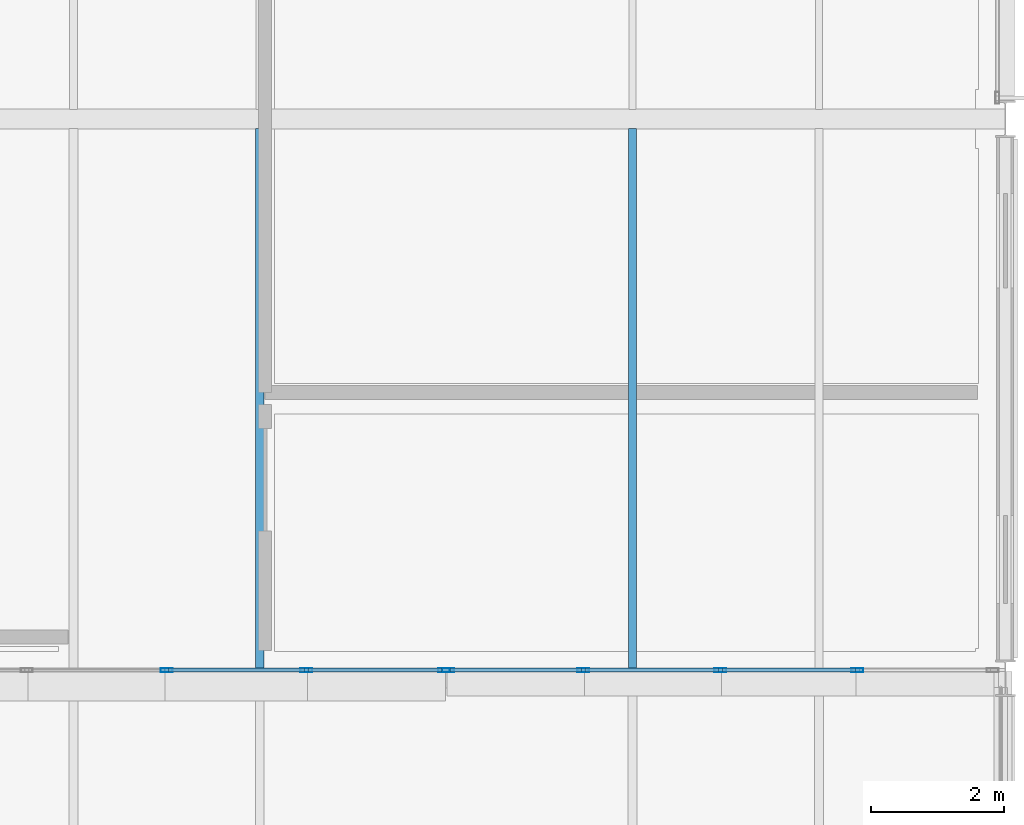
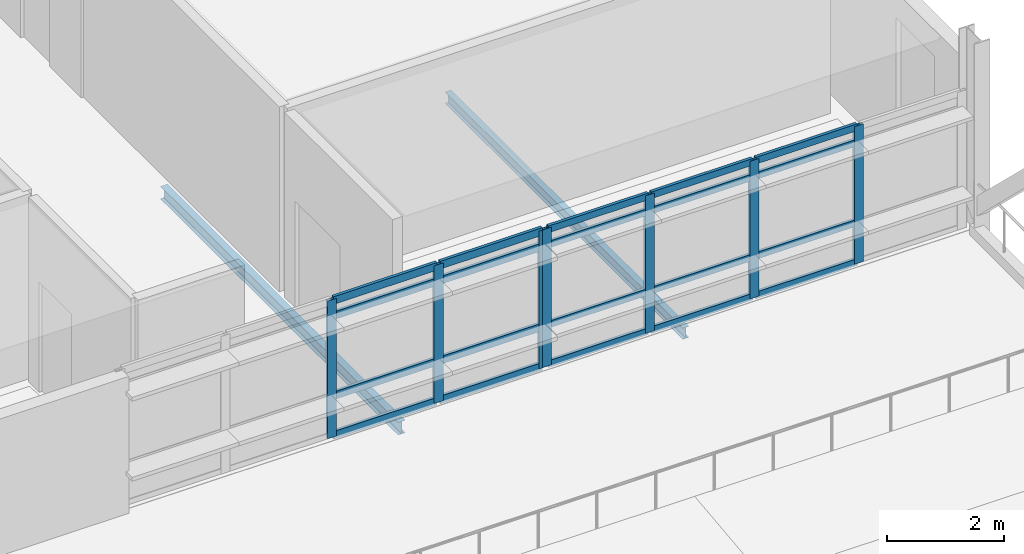
# One storey, part 33 of 103: 27 members, 2 beams, 2 elements without a shape of their own.
"""IFC4 building model written with IfcOpenShell, lengths in metres."""

from ifc_helpers import new_model, si_unit, direction, frame, origin, origin_2d, place, context, subcontext, project, spatial, hollow_rectangle, i_section, extrude, material, material_profile, profile_set, type_object, element, aggregate, save


model = new_model("IFC4")

# Units and contexts
model_context = context("Model", 3, precision=1e-05, world=origin(), true_north=direction((0.0, 1.0)))
body_context = subcontext(model_context, "Body", "Model", "MODEL_VIEW")
ifc_project = project(units=[si_unit("LENGTHUNIT", "METRE"), si_unit("AREAUNIT", "SQUARE_METRE"), si_unit("VOLUMEUNIT", "CUBIC_METRE"), si_unit("PLANEANGLEUNIT", "RADIAN"), si_unit("MASSUNIT", "GRAM", prefix="KILO")], contexts=[model_context])

# Site, building, storey
site_placement = place(None, origin())
site = spatial("IfcSite", under=ifc_project, at=site_placement, CompositionType="ELEMENT")
building_placement = place(site_placement, origin())
building = spatial("IfcBuilding", under=site, at=building_placement, Name="Mersafa Astral City Hall", CompositionType="ELEMENT")
storey_placement = place(building_placement, frame((0.0, 0.0, 18.0)))
storey = spatial("IfcBuildingStorey", under=building, at=storey_placement, Name="L04", CompositionType="ELEMENT", Elevation=18.0)

# Curtain wall, members
ifc_material_1 = material(Name="Anodised bronze aluminium framing", Category="aluminium")
curtain_wall_type_1 = type_object("IfcCurtainWallType", Name="ENV-CW-3", PredefinedType="USERDEFINED", material=ifc_material_1)
curtain_wall_1_placement = place(storey_placement, origin())
curtain_wall_1 = element("IfcCurtainWall", 1, at=curtain_wall_1_placement, inside=storey, type_object=curtain_wall_type_1, Name="L04 Unitised solar curtain wall 212", ObjectType="UNITISED CURTAIN WALL", PredefinedType="USERDEFINED")
ifc_material_profile_1 = material_profile(ifc_material_1, hollow_rectangle(XDim=0.06005859375, YDim=0.179931640625, WallThickness=0.00390625, at=origin_2d()), Name="RHS 60x180x4")
ifc_profile_set_1 = profile_set([ifc_material_profile_1], Name="Anodised bronze aluminium framing")
member_type_1 = type_object("IfcMemberType", Name="ENV-CW-MUL-1", PredefinedType="MULLION", material=ifc_profile_set_1)
member_1_placement = place(storey_placement, frame((105.0, 67.320068359375, -0.001953125), z_axis=(0.0, 0.0, 1.0), x_axis=(0.0, 1.0, 0.0)))
member_1 = element("IfcMember", 2, at=member_1_placement, type_object=member_type_1, Name="CW-3 mullion 3", PredefinedType="MULLION", context=body_context, shape_type="SweptSolid", body=[
    extrude(hollow_rectangle(XDim=0.06005859375, YDim=0.179931640625, WallThickness=0.00390625, at=origin_2d()), origin(), (0.0, 0.0, 1.0), 2.868896484375),
])
member_2_placement = place(storey_placement, frame((107.10009765625, 67.320068359375, -0.001953125), z_axis=(0.0, 0.0, 1.0), x_axis=(0.0, 1.0, 0.0)))
member_2 = element("IfcMember", 3, at=member_2_placement, type_object=member_type_1, Name="CW-3 mullion 4", PredefinedType="MULLION", context=body_context, shape_type="SweptSolid", body=[
    extrude(hollow_rectangle(XDim=0.06005859375, YDim=0.179931640625, WallThickness=0.00390625, at=origin_2d()), origin(), (0.0, 0.0, 1.0), 2.868896484375),
])
member_3_placement = place(storey_placement, frame((109.169921875, 67.320068359375, -0.001953125), z_axis=(0.0, 0.0, 1.0), x_axis=(0.0, 1.0, 0.0)))
member_3 = element("IfcMember", 4, at=member_3_placement, type_object=member_type_1, Name="CW-3 mullion 5", PredefinedType="MULLION", context=body_context, shape_type="SweptSolid", body=[
    extrude(hollow_rectangle(XDim=0.06005859375, YDim=0.179931640625, WallThickness=0.00390625, at=origin_2d()), origin(), (0.0, 0.0, 1.0), 2.868896484375),
])

curtain_wall_type_2 = type_object("IfcCurtainWallType", Name="ENV-CW-4", PredefinedType="USERDEFINED", material=ifc_material_1)
curtain_wall_2_placement = place(storey_placement, origin())
curtain_wall_2 = element("IfcCurtainWall", 5, at=curtain_wall_2_placement, inside=storey, type_object=curtain_wall_type_2, Name="L04 Unitised solar curtain wall 213", ObjectType="UNITISED CURTAIN WALL", PredefinedType="USERDEFINED")
member_4_placement = place(storey_placement, frame((109.22998046875, 67.320068359375, -0.001953125), z_axis=(0.0, 0.0, 1.0), x_axis=(0.0, 1.0, 0.0)))
member_4 = element("IfcMember", 6, at=member_4_placement, type_object=member_type_1, Name="CW-4 mullion 1", PredefinedType="MULLION", context=body_context, shape_type="SweptSolid", body=[
    extrude(hollow_rectangle(XDim=0.06005859375, YDim=0.179931640625, WallThickness=0.00390625, at=origin_2d()), origin(), (0.0, 0.0, 1.0), 2.868896484375),
])
member_5_placement = place(storey_placement, frame((111.259521484375, 67.320068359375, -0.001953125), z_axis=(0.0, 0.0, 1.0), x_axis=(0.0, 1.0, 0.0)))
member_5 = element("IfcMember", 7, at=member_5_placement, type_object=member_type_1, Name="CW-4 mullion 2", PredefinedType="MULLION", context=body_context, shape_type="SweptSolid", body=[
    extrude(hollow_rectangle(XDim=0.06005859375, YDim=0.179931640625, WallThickness=0.00390625, at=origin_2d()), origin(), (0.0, 0.0, 1.0), 2.868896484375),
])
member_6_placement = place(storey_placement, frame((113.319091796875, 67.320068359375, -0.001953125), z_axis=(0.0, 0.0, 1.0), x_axis=(0.0, 1.0, 0.0)))
member_6 = element("IfcMember", 8, at=member_6_placement, type_object=member_type_1, Name="CW-4 mullion 3", PredefinedType="MULLION", context=body_context, shape_type="SweptSolid", body=[
    extrude(hollow_rectangle(XDim=0.06005859375, YDim=0.179931640625, WallThickness=0.00390625, at=origin_2d()), origin(), (0.0, 0.0, 1.0), 2.868896484375),
])
member_7_placement = place(storey_placement, frame((115.37841796875, 67.320068359375, -0.001953125), z_axis=(0.0, 0.0, 1.0), x_axis=(0.0, 1.0, 0.0)))
member_7 = element("IfcMember", 9, at=member_7_placement, type_object=member_type_1, Name="CW-4 mullion 4", PredefinedType="MULLION", context=body_context, shape_type="SweptSolid", body=[
    extrude(hollow_rectangle(XDim=0.06005859375, YDim=0.179931640625, WallThickness=0.00390625, at=origin_2d()), origin(), (0.0, 0.0, 1.0), 2.868896484375),
])
ifc_material_profile_2 = material_profile(ifc_material_1, hollow_rectangle(XDim=0.06005859375, YDim=0.139892578125, WallThickness=0.00390625, at=origin_2d()), Name="RHS 60x140x4")
ifc_profile_set_2 = profile_set([ifc_material_profile_2], Name="Anodised bronze aluminium framing")
member_type_2 = type_object("IfcMemberType", Name="ENV-CW-TRN-1", PredefinedType="USERDEFINED", material=ifc_profile_set_2)
member_8_placement = place(storey_placement, frame((109.260009765625, 67.320068359375, 0.028076171875), z_axis=(1.0, 0.0, 0.0), x_axis=(0.0, 1.0, 0.0)))
member_8 = element("IfcMember", 10, at=member_8_placement, type_object=member_type_2, Name="CW-4 transom 1.1", ObjectType="TRANSOM", PredefinedType="USERDEFINED", context=body_context, shape_type="SweptSolid", body=[
    extrude(hollow_rectangle(XDim=0.06005859375, YDim=0.139892578125, WallThickness=0.00390625, at=origin_2d()), origin(), (0.0, 0.0, 1.0), 1.969482421875),
])
member_9_placement = place(storey_placement, frame((109.260009765625, 67.320068359375, 0.85009765625), z_axis=(1.0, 0.0, 0.0), x_axis=(0.0, 1.0, 0.0)))
member_9 = element("IfcMember", 11, at=member_9_placement, type_object=member_type_2, Name="CW-4 transom 1.2", ObjectType="TRANSOM", PredefinedType="USERDEFINED", context=body_context, shape_type="SweptSolid", body=[
    extrude(hollow_rectangle(XDim=0.06005859375, YDim=0.139892578125, WallThickness=0.00390625, at=origin_2d()), origin(), (0.0, 0.0, 1.0), 1.969482421875),
])
member_10_placement = place(storey_placement, frame((109.260009765625, 67.320068359375, 2.51708984375), z_axis=(1.0, 0.0, 0.0), x_axis=(0.0, 1.0, 0.0)))
member_10 = element("IfcMember", 12, at=member_10_placement, type_object=member_type_2, Name="CW-4 transom 1.3", ObjectType="TRANSOM", PredefinedType="USERDEFINED", context=body_context, shape_type="SweptSolid", body=[
    extrude(hollow_rectangle(XDim=0.06005859375, YDim=0.139892578125, WallThickness=0.00390625, at=origin_2d()), origin(), (0.0, 0.0, 1.0), 1.969482421875),
])
member_11_placement = place(storey_placement, frame((109.260009765625, 67.320068359375, 2.8369140625), z_axis=(1.0, 0.0, 0.0), x_axis=(0.0, 1.0, 0.0)))
member_11 = element("IfcMember", 13, at=member_11_placement, type_object=member_type_2, Name="CW-4 transom 1.4", ObjectType="TRANSOM", PredefinedType="USERDEFINED", context=body_context, shape_type="SweptSolid", body=[
    extrude(hollow_rectangle(XDim=0.06005859375, YDim=0.139892578125, WallThickness=0.00390625, at=origin_2d()), origin(), (0.0, 0.0, 1.0), 1.969482421875),
])
member_12_placement = place(storey_placement, frame((111.28955078125, 67.320068359375, 0.028076171875), z_axis=(1.0, 0.0, 0.0), x_axis=(0.0, 1.0, 0.0)))
member_12 = element("IfcMember", 14, at=member_12_placement, type_object=member_type_2, Name="CW-4 transom 2.1", ObjectType="TRANSOM", PredefinedType="USERDEFINED", context=body_context, shape_type="SweptSolid", body=[
    extrude(hollow_rectangle(XDim=0.06005859375, YDim=0.139892578125, WallThickness=0.00390625, at=origin_2d()), origin(), (0.0, 0.0, 1.0), 1.99951171875),
])
member_13_placement = place(storey_placement, frame((111.28955078125, 67.320068359375, 0.85009765625), z_axis=(1.0, 0.0, 0.0), x_axis=(0.0, 1.0, 0.0)))
member_13 = element("IfcMember", 15, at=member_13_placement, type_object=member_type_2, Name="CW-4 transom 2.2", ObjectType="TRANSOM", PredefinedType="USERDEFINED", context=body_context, shape_type="SweptSolid", body=[
    extrude(hollow_rectangle(XDim=0.06005859375, YDim=0.139892578125, WallThickness=0.00390625, at=origin_2d()), origin(), (0.0, 0.0, 1.0), 1.99951171875),
])
member_14_placement = place(storey_placement, frame((111.28955078125, 67.320068359375, 2.51708984375), z_axis=(1.0, 0.0, 0.0), x_axis=(0.0, 1.0, 0.0)))
member_14 = element("IfcMember", 16, at=member_14_placement, type_object=member_type_2, Name="CW-4 transom 2.3", ObjectType="TRANSOM", PredefinedType="USERDEFINED", context=body_context, shape_type="SweptSolid", body=[
    extrude(hollow_rectangle(XDim=0.06005859375, YDim=0.139892578125, WallThickness=0.00390625, at=origin_2d()), origin(), (0.0, 0.0, 1.0), 1.99951171875),
])
member_15_placement = place(storey_placement, frame((111.28955078125, 67.320068359375, 2.8369140625), z_axis=(1.0, 0.0, 0.0), x_axis=(0.0, 1.0, 0.0)))
member_15 = element("IfcMember", 17, at=member_15_placement, type_object=member_type_2, Name="CW-4 transom 2.4", ObjectType="TRANSOM", PredefinedType="USERDEFINED", context=body_context, shape_type="SweptSolid", body=[
    extrude(hollow_rectangle(XDim=0.06005859375, YDim=0.139892578125, WallThickness=0.00390625, at=origin_2d()), origin(), (0.0, 0.0, 1.0), 1.99951171875),
])
member_16_placement = place(storey_placement, frame((113.34912109375, 67.320068359375, 0.028076171875), z_axis=(1.0, 0.0, 0.0), x_axis=(0.0, 1.0, 0.0)))
member_16 = element("IfcMember", 18, at=member_16_placement, type_object=member_type_2, Name="CW-4 transom 3.1", ObjectType="TRANSOM", PredefinedType="USERDEFINED", context=body_context, shape_type="SweptSolid", body=[
    extrude(hollow_rectangle(XDim=0.06005859375, YDim=0.139892578125, WallThickness=0.00390625, at=origin_2d()), origin(), (0.0, 0.0, 1.0), 1.999267578125),
])
member_17_placement = place(storey_placement, frame((113.34912109375, 67.320068359375, 0.85009765625), z_axis=(1.0, 0.0, 0.0), x_axis=(0.0, 1.0, 0.0)))
member_17 = element("IfcMember", 19, at=member_17_placement, type_object=member_type_2, Name="CW-4 transom 3.2", ObjectType="TRANSOM", PredefinedType="USERDEFINED", context=body_context, shape_type="SweptSolid", body=[
    extrude(hollow_rectangle(XDim=0.06005859375, YDim=0.139892578125, WallThickness=0.00390625, at=origin_2d()), origin(), (0.0, 0.0, 1.0), 1.999267578125),
])
member_18_placement = place(storey_placement, frame((113.34912109375, 67.320068359375, 2.51708984375), z_axis=(1.0, 0.0, 0.0), x_axis=(0.0, 1.0, 0.0)))
member_18 = element("IfcMember", 20, at=member_18_placement, type_object=member_type_2, Name="CW-4 transom 3.3", ObjectType="TRANSOM", PredefinedType="USERDEFINED", context=body_context, shape_type="SweptSolid", body=[
    extrude(hollow_rectangle(XDim=0.06005859375, YDim=0.139892578125, WallThickness=0.00390625, at=origin_2d()), origin(), (0.0, 0.0, 1.0), 1.999267578125),
])
member_19_placement = place(storey_placement, frame((113.34912109375, 67.320068359375, 2.8369140625), z_axis=(1.0, 0.0, 0.0), x_axis=(0.0, 1.0, 0.0)))
member_19 = element("IfcMember", 21, at=member_19_placement, type_object=member_type_2, Name="CW-4 transom 3.4", ObjectType="TRANSOM", PredefinedType="USERDEFINED", context=body_context, shape_type="SweptSolid", body=[
    extrude(hollow_rectangle(XDim=0.06005859375, YDim=0.139892578125, WallThickness=0.00390625, at=origin_2d()), origin(), (0.0, 0.0, 1.0), 1.999267578125),
])
aggregate(curtain_wall_2, [member_4, member_5, member_6, member_7, member_8, member_9, member_10, member_11, member_12, member_13, member_14, member_15, member_16, member_17, member_18, member_19])

# Member
ifc_material_profile_3 = material_profile(ifc_material_1, hollow_rectangle(XDim=0.06005859375, YDim=0.159912109375, WallThickness=0.00390625, at=origin_2d()), Name="RHS 60x160x4")
ifc_profile_set_3 = profile_set([ifc_material_profile_3], Name="Anodised bronze aluminium framing")
member_type_3 = type_object("IfcMemberType", Name="ENV-CW-TRN-2", PredefinedType="USERDEFINED", material=ifc_profile_set_3)
member_20_placement = place(storey_placement, frame((105.030029296875, 67.320068359375, 0.028076171875), z_axis=(1.0, 0.0, 0.0), x_axis=(0.0, 1.0, 0.0)))
member_20 = element("IfcMember", 22, at=member_20_placement, type_object=member_type_3, Name="CW-3 transom 3.1", ObjectType="TRANSOM", PredefinedType="USERDEFINED", context=body_context, shape_type="SweptSolid", body=[
    extrude(hollow_rectangle(XDim=0.06005859375, YDim=0.159912109375, WallThickness=0.00390625, at=origin_2d()), origin(), (0.0, 0.0, 1.0), 2.0400390625),
])

member_21_placement = place(storey_placement, frame((105.030029296875, 67.320068359375, 0.85009765625), z_axis=(1.0, 0.0, 0.0), x_axis=(0.0, 1.0, 0.0)))
member_21 = element("IfcMember", 23, at=member_21_placement, type_object=member_type_3, Name="CW-3 transom 3.2", ObjectType="TRANSOM", PredefinedType="USERDEFINED", context=body_context, shape_type="SweptSolid", body=[
    extrude(hollow_rectangle(XDim=0.06005859375, YDim=0.159912109375, WallThickness=0.00390625, at=origin_2d()), origin(), (0.0, 0.0, 1.0), 2.0400390625),
])

member_22_placement = place(storey_placement, frame((105.030029296875, 67.320068359375, 2.51708984375), z_axis=(1.0, 0.0, 0.0), x_axis=(0.0, 1.0, 0.0)))
member_22 = element("IfcMember", 24, at=member_22_placement, type_object=member_type_3, Name="CW-3 transom 3.3", ObjectType="TRANSOM", PredefinedType="USERDEFINED", context=body_context, shape_type="SweptSolid", body=[
    extrude(hollow_rectangle(XDim=0.06005859375, YDim=0.159912109375, WallThickness=0.00390625, at=origin_2d()), origin(), (0.0, 0.0, 1.0), 2.0400390625),
])

member_23_placement = place(storey_placement, frame((105.030029296875, 67.320068359375, 2.8369140625), z_axis=(1.0, 0.0, 0.0), x_axis=(0.0, 1.0, 0.0)))
member_23 = element("IfcMember", 25, at=member_23_placement, type_object=member_type_3, Name="CW-3 transom 3.4", ObjectType="TRANSOM", PredefinedType="USERDEFINED", context=body_context, shape_type="SweptSolid", body=[
    extrude(hollow_rectangle(XDim=0.06005859375, YDim=0.159912109375, WallThickness=0.00390625, at=origin_2d()), origin(), (0.0, 0.0, 1.0), 2.0400390625),
])

member_24_placement = place(storey_placement, frame((107.1298828125, 67.320068359375, 0.028076171875), z_axis=(1.0, 0.0, 0.0), x_axis=(0.0, 1.0, 0.0)))
member_24 = element("IfcMember", 26, at=member_24_placement, type_object=member_type_3, Name="CW-3 transom 4.1", ObjectType="TRANSOM", PredefinedType="USERDEFINED", context=body_context, shape_type="SweptSolid", body=[
    extrude(hollow_rectangle(XDim=0.06005859375, YDim=0.159912109375, WallThickness=0.00390625, at=origin_2d()), origin(), (0.0, 0.0, 1.0), 2.010009765625),
])

member_25_placement = place(storey_placement, frame((107.1298828125, 67.320068359375, 0.85009765625), z_axis=(1.0, 0.0, 0.0), x_axis=(0.0, 1.0, 0.0)))
member_25 = element("IfcMember", 27, at=member_25_placement, type_object=member_type_3, Name="CW-3 transom 4.2", ObjectType="TRANSOM", PredefinedType="USERDEFINED", context=body_context, shape_type="SweptSolid", body=[
    extrude(hollow_rectangle(XDim=0.06005859375, YDim=0.159912109375, WallThickness=0.00390625, at=origin_2d()), origin(), (0.0, 0.0, 1.0), 2.010009765625),
])

member_26_placement = place(storey_placement, frame((107.1298828125, 67.320068359375, 2.51708984375), z_axis=(1.0, 0.0, 0.0), x_axis=(0.0, 1.0, 0.0)))
member_26 = element("IfcMember", 28, at=member_26_placement, type_object=member_type_3, Name="CW-3 transom 4.3", ObjectType="TRANSOM", PredefinedType="USERDEFINED", context=body_context, shape_type="SweptSolid", body=[
    extrude(hollow_rectangle(XDim=0.06005859375, YDim=0.159912109375, WallThickness=0.00390625, at=origin_2d()), origin(), (0.0, 0.0, 1.0), 2.010009765625),
])

member_27_placement = place(storey_placement, frame((107.1298828125, 67.320068359375, 2.8369140625), z_axis=(1.0, 0.0, 0.0), x_axis=(0.0, 1.0, 0.0)))
member_27 = element("IfcMember", 29, at=member_27_placement, type_object=member_type_3, Name="CW-3 transom 4.4", ObjectType="TRANSOM", PredefinedType="USERDEFINED", context=body_context, shape_type="SweptSolid", body=[
    extrude(hollow_rectangle(XDim=0.06005859375, YDim=0.159912109375, WallThickness=0.00390625, at=origin_2d()), origin(), (0.0, 0.0, 1.0), 2.010009765625),
])

aggregate(curtain_wall_1, [member_1, member_2, member_3, member_20, member_21, member_22, member_23, member_24, member_25, member_26, member_27])

# Beams
ifc_material_2 = material(Name="Steel S355", Category="steel")
ifc_material_profile_4 = material_profile(ifc_material_2, i_section(OverallWidth=0.1201171875, OverallDepth=0.239990234375, WebThickness=0.006103515625, FlangeThickness=0.009765625, FilletRadius=0.014892578125, at=origin_2d()), Name="IPE 240")
ifc_profile_set_4 = profile_set([ifc_material_profile_4], Name="Steel S355")
beam_type_1 = type_object("IfcBeamType", Name="STR-BM-JOIST-IPE240", PredefinedType="JOIST", material=ifc_profile_set_4)
beam_1_placement = place(storey_placement, frame((112.0, 67.344970703125, -0.304931640625), z_axis=(0.0, 1.0, 0.0), x_axis=(-1.0, 0.0, 0.0)))
element("IfcBeam", 30, at=beam_1_placement, inside=storey, type_object=beam_type_1, Name="L04 Composite secondary floor joist 732", PredefinedType="JOIST", context=body_context, shape_type="SweptSolid", body=[
    extrude(i_section(OverallWidth=0.1201171875, OverallDepth=0.239990234375, WebThickness=0.006103515625, FlangeThickness=0.009765625, FilletRadius=0.014892578125, at=origin_2d()), origin(), (0.0, 0.0, 1.0), 8.110107421875),
])
ifc_material_profile_5 = material_profile(ifc_material_2, i_section(OverallWidth=0.135009765625, OverallDepth=0.27001953125, WebThickness=0.006591796875, FlangeThickness=0.01025390625, FilletRadius=0.014892578125, at=origin_2d()), Name="IPE 270")
ifc_profile_set_5 = profile_set([ifc_material_profile_5], Name="Steel S355")
beam_type_2 = type_object("IfcBeamType", Name="STR-BM-JOIST-IPE270", PredefinedType="JOIST", material=ifc_profile_set_5)
beam_2_placement = place(storey_placement, frame((106.39990234375, 67.344970703125, -0.320068359375), z_axis=(0.0, 1.0, 0.0), x_axis=(-1.0, 0.0, 0.0)))
element("IfcBeam", 31, at=beam_2_placement, inside=storey, type_object=beam_type_2, Name="L04 Composite secondary floor joist 719", PredefinedType="JOIST", context=body_context, shape_type="SweptSolid", body=[
    extrude(i_section(OverallWidth=0.135009765625, OverallDepth=0.27001953125, WebThickness=0.006591796875, FlangeThickness=0.01025390625, FilletRadius=0.014892578125, at=origin_2d()), origin(), (0.0, 0.0, 1.0), 8.110107421875),
])

save(model, "model.ifc")
